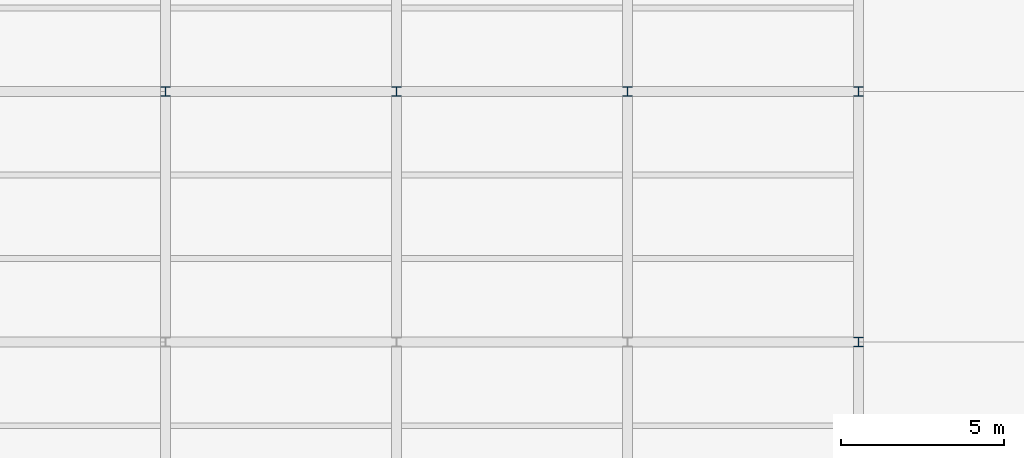
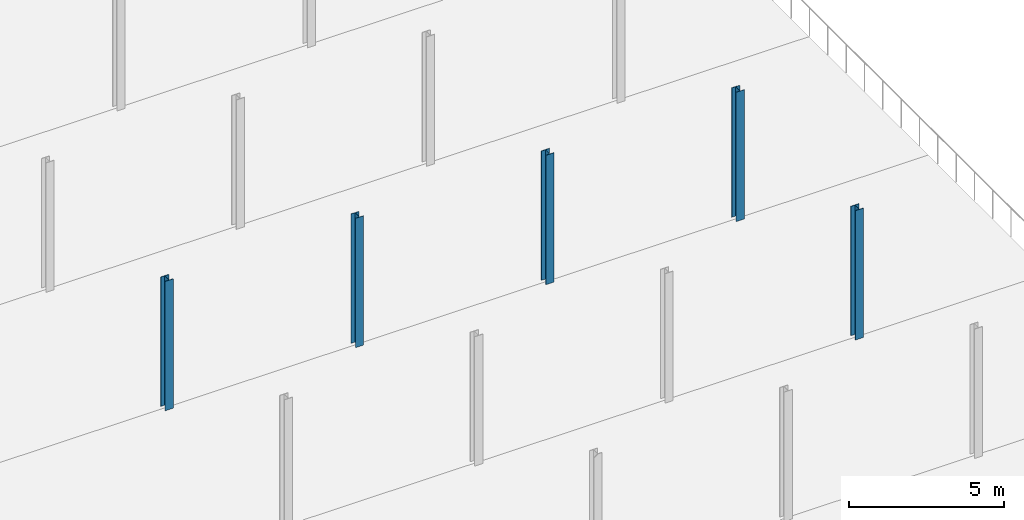
# One storey, part 20 of 218: 5 columns.
"""IFC4 building model written with IfcOpenShell, lengths in metres."""

from ifc_helpers import new_model, si_unit, direction, frame, origin, origin_2d, place, context, subcontext, project, spatial, i_section, extrude, material, material_profile, profile_set, type_object, element, save


model = new_model("IFC4")

# Units and contexts
model_context = context("Model", 3, precision=1e-05, world=origin(), true_north=direction((0.0, 1.0)))
body_context = subcontext(model_context, "Body", "Model", "MODEL_VIEW")
ifc_project = project(units=[si_unit("LENGTHUNIT", "METRE"), si_unit("AREAUNIT", "SQUARE_METRE"), si_unit("VOLUMEUNIT", "CUBIC_METRE"), si_unit("PLANEANGLEUNIT", "RADIAN"), si_unit("MASSUNIT", "GRAM", prefix="KILO")], contexts=[model_context])

# Site, building, storey
site_placement = place(None, origin())
site = spatial("IfcSite", under=ifc_project, at=site_placement, CompositionType="ELEMENT")
building_placement = place(site_placement, origin())
building = spatial("IfcBuilding", under=site, at=building_placement, Name="Kazenagashi Tramway Depot", CompositionType="ELEMENT")
storey_placement = place(building_placement, frame((0.0, 0.0, 6.0)))
storey = spatial("IfcBuildingStorey", under=building, at=storey_placement, Name="L02", CompositionType="ELEMENT", Elevation=6.0)

# Columns
ifc_material = material(Name="Steel SN490B", Category="steel")
ifc_material_profile = material_profile(ifc_material, i_section(OverallWidth=0.3, OverallDepth=0.3, WebThickness=0.01, FlangeThickness=0.015, at=origin_2d()), Name="H-300x300x10x15")
ifc_profile_set = profile_set([ifc_material_profile], Name="Steel SN490B")
column_type = type_object("IfcColumnType", Name="C-05", PredefinedType="COLUMN", material=ifc_profile_set)
for number, where, z_axis, x_axis, name in (
    (1, (160.5, 30.8, 0.0), (0.0, 0.0, 1.0), (1.0, 0.0, 0.0), "Column C-05 COL-0403"),
    (2, (167.6, 30.8, 0.0), (0.0, 0.0, 1.0), (1.0, 0.0, 0.0), "Column C-05 COL-0428"),
    (3, (174.7, 30.8, 0.0), (0.0, 0.0, 1.0), (1.0, 0.0, 0.0), "Column C-05 COL-0453"),
    (4, (181.8, 23.1, 0.0), (0.0, 0.0, 1.0), (1.0, 0.0, 0.0), "Column C-05 COL-0476"),
    (5, (181.8, 30.8, 0.0), (0.0, 0.0, 1.0), (1.0, 0.0, 0.0), "Column C-05 COL-0478"),
):
    element("IfcColumn", number, at=place(storey_placement, frame(where, z_axis=z_axis, x_axis=x_axis)), inside=storey, type_object=column_type, Name=name, PredefinedType="COLUMN", context=body_context, shape_type="SweptSolid", body=[
        extrude(i_section(OverallWidth=0.3, OverallDepth=0.3, WebThickness=0.01, FlangeThickness=0.015, at=origin_2d()), origin(), (0.0, 0.0, 1.0), 5.1),
    ])

save(model, "model.ifc")
